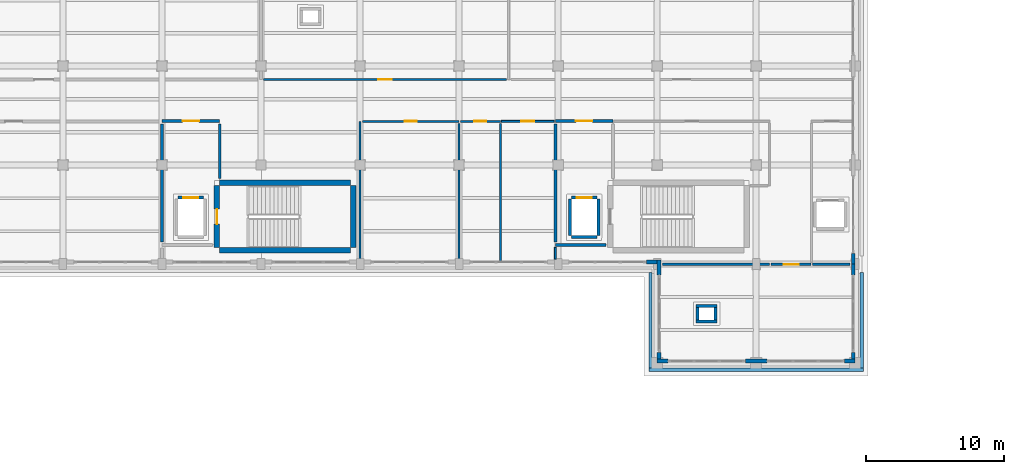
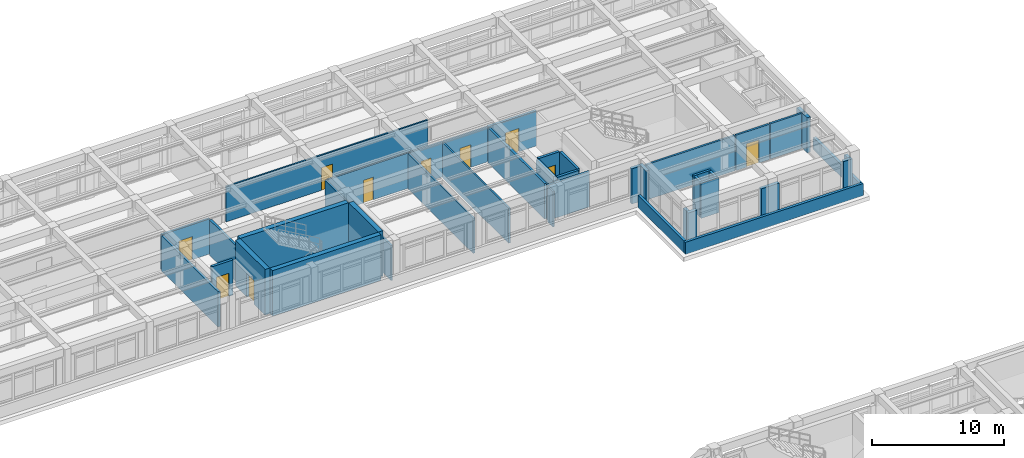
# One storey, part 51 of 67: 42 walls, 10 doors, 10 openings.
"""IFC4 building model written with IfcOpenShell, lengths in metres."""

from ifc_helpers import new_model, si_unit, direction, frame, frame_2d, origin, place, context, subcontext, project, spatial, rectangle, extrude, material, layer, layer_set, type_object, element, fill, save


model = new_model("IFC4")

# Units and contexts
model_context = context("Model", 3, precision=1e-05, world=origin(), true_north=direction((0.0, 1.0)))
body_context = subcontext(model_context, "Body", "Model", "MODEL_VIEW")
ifc_project = project(units=[si_unit("LENGTHUNIT", "METRE"), si_unit("AREAUNIT", "SQUARE_METRE"), si_unit("VOLUMEUNIT", "CUBIC_METRE"), si_unit("PLANEANGLEUNIT", "RADIAN"), si_unit("MASSUNIT", "GRAM", prefix="KILO")], contexts=[model_context])

# Site, building, storey
site_placement = place(None, origin())
site = spatial("IfcSite", under=ifc_project, at=site_placement, CompositionType="ELEMENT")
building_placement = place(site_placement, origin())
building = spatial("IfcBuilding", under=site, at=building_placement, Name="Solenvale Faculty of Natural Sciences", CompositionType="ELEMENT")
storey_placement = place(building_placement, frame((0.0, 0.0, 13.5)))
storey = spatial("IfcBuildingStorey", under=building, at=storey_placement, Name="L03", CompositionType="ELEMENT", Elevation=13.5)

# Walls
ifc_material_1 = material(Name="Precast concrete 40 MPa", Category="concrete")
ifc_layer_1 = layer(ifc_material_1, 0.284912109375)
ifc_layer_set_1 = layer_set([ifc_layer_1], Name="Precast concrete 40 MPa")
wall_type_1 = type_object("IfcWallType", Name="WL-EXT-PRC-285", PredefinedType="STANDARD", material=ifc_layer_set_1)
wall_1_placement = place(storey_placement, frame((136.800048828125, 86.54248046875, 0.0), z_axis=(0.0, 0.0, 1.0), x_axis=(1.0, 0.0, 0.0)))
element("IfcWall", 1, at=wall_1_placement, inside=storey, type_object=wall_type_1, Name="L03 Facade Closure Pier 1.B1-L", PredefinedType="STANDARD", context=body_context, shape_type="SweptSolid", body=[
    extrude(rectangle(XDim=0.787841796875, YDim=0.284912109375, at=frame_2d((0.39404296875, 0.0))), origin(), (0.0, 0.0, 1.0), 3.260009765625),
])
wall_2_placement = place(storey_placement, frame((143.2119140625, 86.54248046875, 0.0), z_axis=(0.0, 0.0, 1.0), x_axis=(1.0, 0.0, 0.0)))
element("IfcWall", 2, at=wall_2_placement, inside=storey, type_object=wall_type_1, Name="L03 Facade Closure Pier 1.B1-R", PredefinedType="STANDARD", context=body_context, shape_type="SweptSolid", body=[
    extrude(rectangle(XDim=1.576171875, YDim=0.284912109375, at=frame_2d((0.7880859375, 0.0))), origin(), (0.0, 0.0, 1.0), 3.260009765625),
])
wall_3_placement = place(storey_placement, frame((150.412109375, 86.54248046875, 0.0), z_axis=(0.0, 0.0, 1.0), x_axis=(1.0, 0.0, 0.0)))
element("IfcWall", 3, at=wall_3_placement, inside=storey, type_object=wall_type_1, Name="L03 Facade Closure Pier 1.B2-R", PredefinedType="STANDARD", context=body_context, shape_type="SweptSolid", body=[
    extrude(rectangle(XDim=0.787841796875, YDim=0.284912109375, at=frame_2d((0.39404296875, 0.0))), origin(), (0.0, 0.0, 1.0), 3.260009765625),
])
wall_4_placement = place(storey_placement, frame((151.0576171875, 86.68505859375, 0.0), z_axis=(0.0, 0.0, 1.0), x_axis=(0.0, 1.0, 0.0)))
element("IfcWall", 4, at=wall_4_placement, inside=storey, type_object=wall_type_1, Name="L03 Facade Closure Pier 2.B1-L", PredefinedType="STANDARD", context=body_context, shape_type="SweptSolid", body=[
    extrude(rectangle(XDim=0.5029296875, YDim=0.284912109375, at=frame_2d((0.25146484375, 0.0))), origin(), (0.0, 0.0, 1.0), 3.260009765625),
])
wall_5_placement = place(storey_placement, frame((151.0576171875, 92.81201171875, 0.0), z_axis=(0.0, 0.0, 1.0), x_axis=(0.0, 1.0, 0.0)))
element("IfcWall", 5, at=wall_5_placement, inside=storey, type_object=wall_type_1, Name="L03 Facade Closure Pier 2.B1-R", PredefinedType="STANDARD", context=body_context, shape_type="SweptSolid", body=[
    extrude(rectangle(XDim=0.7880859375, YDim=0.284912109375, at=frame_2d((0.39404296875, 0.0))), origin(), (0.0, 0.0, 1.0), 3.260009765625),
])
wall_6_placement = place(storey_placement, frame((151.0576171875, 93.60009765625, 0.0), z_axis=(0.0, 0.0, 1.0), x_axis=(0.0, 1.0, 0.0)))
element("IfcWall", 6, at=wall_6_placement, inside=storey, type_object=wall_type_1, Name="L03 Facade Closure Pier 3.B1-L", PredefinedType="STANDARD", context=body_context, shape_type="SweptSolid", body=[
    extrude(rectangle(XDim=0.787841796875, YDim=0.284912109375, at=frame_2d((0.39404296875, 0.0))), origin(), (0.0, 0.0, 1.0), 3.260009765625),
])
wall_7_placement = place(storey_placement, frame((136.011962890625, 93.742431640625, 0.0), z_axis=(0.0, 0.0, 1.0), x_axis=(1.0, 0.0, 0.0)))
element("IfcWall", 7, at=wall_7_placement, inside=storey, type_object=wall_type_1, Name="L03 Facade Closure Pier 6.B8-R", PredefinedType="STANDARD", context=body_context, shape_type="SweptSolid", body=[
    extrude(rectangle(XDim=0.7880859375, YDim=0.284912109375, at=frame_2d((0.39404296875, 0.0))), origin(), (0.0, 0.0, 1.0), 3.260009765625),
])
wall_8_placement = place(storey_placement, frame((136.9423828125, 93.885009765625, 0.0), z_axis=(0.0, 0.0, 1.0), x_axis=(0.0, -1.0, 0.0)))
element("IfcWall", 8, at=wall_8_placement, inside=storey, type_object=wall_type_1, Name="L03 Facade Closure Pier 7.B1-L", PredefinedType="STANDARD", context=body_context, shape_type="SweptSolid", body=[
    extrude(rectangle(XDim=1.072998046875, YDim=0.284912109375, at=frame_2d((0.53662109375, 0.0))), origin(), (0.0, 0.0, 1.0), 3.260009765625),
])
wall_9_placement = place(storey_placement, frame((136.9423828125, 87.18798828125, 0.0), z_axis=(0.0, 0.0, 1.0), x_axis=(0.0, -1.0, 0.0)))
element("IfcWall", 9, at=wall_9_placement, inside=storey, type_object=wall_type_1, Name="L03 Facade Closure Pier 7.B1-R", PredefinedType="STANDARD", context=body_context, shape_type="SweptSolid", body=[
    extrude(rectangle(XDim=0.5029296875, YDim=0.284912109375, at=frame_2d((0.25146484375, 0.0))), origin(), (0.0, 0.0, 1.0), 3.260009765625),
])

# Wall, opening, door
ifc_material_2 = material(Name="Gypsum fire-rated shaftwall")
ifc_layer_2 = layer(ifc_material_2, 0.205078125)
ifc_layer_set_2 = layer_set([ifc_layer_2], Name="Gypsum fire-rated shaftwall")
wall_type_2 = type_object("IfcWallType", Name="WL-FFL-205", PredefinedType="PARTITIONING", material=ifc_layer_set_2)
wall_10_placement = place(storey_placement, frame((100.800048828125, 104.0, 0.0), z_axis=(0.0, 0.0, 1.0), x_axis=(1.0, 0.0, 0.0)))
wall_10 = element("IfcWall", 10, at=wall_10_placement, inside=storey, type_object=wall_type_2, Name="L03 Firefighting Lobby C4 Partition 1", PredefinedType="PARTITIONING", context=body_context, shape_type="SweptSolid", body=[
    extrude(rectangle(XDim=4.199951171875, YDim=0.205078125, at=frame_2d((2.10009765625, 0.0))), origin(), (0.0, 0.0, 1.0), 3.260009765625),
])
opening_1_placement = place(wall_10_placement, frame((1.5, 0.0, 0.0)))
opening_1 = element("IfcOpeningElement", 11, at=opening_1_placement, cuts=wall_10, Name="Opening D-L03-01", PredefinedType="OPENING", context=body_context, shape_type="SweptSolid", body=[
    extrude(rectangle(XDim=1.199951171875, YDim=2.14990234375, at=frame_2d((0.60009765625, 1.074951171875))), frame((0.0, 0.112548828125, 0.0), z_axis=(0.0, -1.0, 0.0), x_axis=(1.0, 0.0, 0.0)), (0.0, 0.0, 1.0), 0.22509765625),
])
ifc_material_3 = material(Name="Galvanised steel S355", Category="steel")
door_type_1 = type_object("IfcDoorType", Name="DR-FFL-1200x2150", OperationType="NOTDEFINED", PredefinedType="DOOR", material=ifc_material_3)
door_1_placement = place(opening_1_placement, origin())
door_1 = element("IfcDoor", 12, at=door_1_placement, inside=storey, type_object=door_type_1, Name="L03 Firefighting Lobby C4 Door", OperationType="SINGLE_SWING_LEFT", OverallHeight=2.14990234375, OverallWidth=1.199951171875, PredefinedType="DOOR", context=body_context, shape_type="SweptSolid", body=[
    extrude(rectangle(XDim=1.199951171875, YDim=2.14990234375, at=frame_2d((0.60009765625, 1.074951171875))), frame((0.0, 0.02490234375, 0.0), z_axis=(0.0, -1.0, 0.0), x_axis=(1.0, 0.0, 0.0)), (0.0, 0.0, 1.0), 0.050048828125),
])
fill(opening_1, door_1)

# Walls
wall_11_placement = place(storey_placement, frame((105.0, 103.782958984375, 0.0), z_axis=(0.0, 0.0, 1.0), x_axis=(0.0, -1.0, 0.0)))
element("IfcWall", 13, at=wall_11_placement, inside=storey, type_object=wall_type_2, Name="L03 Firefighting Lobby C4 Partition 2", PredefinedType="PARTITIONING", context=body_context, shape_type="SweptSolid", body=[
    extrude(rectangle(XDim=3.9580078125, YDim=0.205078125, at=frame_2d((1.97900390625, 0.0))), origin(), (0.0, 0.0, 1.0), 3.260009765625),
])
wall_12_placement = place(storey_placement, frame((100.800048828125, 95.217041015625, 0.0), z_axis=(0.0, 0.0, 1.0), x_axis=(0.0, 1.0, 0.0)))
element("IfcWall", 14, at=wall_12_placement, inside=storey, type_object=wall_type_2, Name="L03 Firefighting Lobby C4 Partition 21", PredefinedType="PARTITIONING", context=body_context, shape_type="SweptSolid", body=[
    extrude(rectangle(XDim=8.56591796875, YDim=0.205078125, at=frame_2d((4.282958984375, 0.0))), origin(), (0.0, 0.0, 1.0), 3.260009765625),
])

# Wall, opening, door
wall_13_placement = place(storey_placement, frame((129.39990234375, 104.0, 0.0), z_axis=(0.0, 0.0, 1.0), x_axis=(1.0, 0.0, 0.0)))
wall_13 = element("IfcWall", 15, at=wall_13_placement, inside=storey, type_object=wall_type_2, Name="L03 Firefighting Lobby C5 Partition 1", PredefinedType="PARTITIONING", context=body_context, shape_type="SweptSolid", body=[
    extrude(rectangle(XDim=4.2001953125, YDim=0.205078125, at=frame_2d((2.10009765625, 0.0))), origin(), (0.0, 0.0, 1.0), 3.260009765625),
])
opening_2_placement = place(wall_13_placement, frame((1.5, 0.0, 0.0)))
opening_2 = element("IfcOpeningElement", 16, at=opening_2_placement, cuts=wall_13, Name="Opening D-L03-02", PredefinedType="OPENING", context=body_context, shape_type="SweptSolid", body=[
    extrude(rectangle(XDim=1.199951171875, YDim=2.14990234375, at=frame_2d((0.60009765625, 1.074951171875))), frame((0.0, 0.112548828125, 0.0), z_axis=(0.0, -1.0, 0.0), x_axis=(1.0, 0.0, 0.0)), (0.0, 0.0, 1.0), 0.22509765625),
])
door_2_placement = place(opening_2_placement, origin())
door_2 = element("IfcDoor", 17, at=door_2_placement, inside=storey, type_object=door_type_1, Name="L03 Firefighting Lobby C5 Door", OperationType="SINGLE_SWING_RIGHT", OverallHeight=2.14990234375, OverallWidth=1.199951171875, PredefinedType="DOOR", context=body_context, shape_type="SweptSolid", body=[
    extrude(rectangle(XDim=1.199951171875, YDim=2.14990234375, at=frame_2d((0.60009765625, 1.074951171875))), frame((0.0, 0.02490234375, 0.0), z_axis=(0.0, -1.0, 0.0), x_axis=(1.0, 0.0, 0.0)), (0.0, 0.0, 1.0), 0.050048828125),
])
fill(opening_2, door_2)

# Walls
wall_14_placement = place(storey_placement, frame((133.075927734375, 95.0, 0.0), z_axis=(0.0, 0.0, 1.0), x_axis=(-1.0, 0.0, 0.0)))
element("IfcWall", 18, at=wall_14_placement, inside=storey, type_object=wall_type_2, Name="L03 Firefighting Lobby C5 Partition 20", PredefinedType="PARTITIONING", context=body_context, shape_type="SweptSolid", body=[
    extrude(rectangle(XDim=3.676025390625, YDim=0.205078125, at=frame_2d((1.837890625, 0.0))), origin(), (0.0, 0.0, 1.0), 3.260009765625),
])
wall_15_placement = place(storey_placement, frame((129.39990234375, 95.217041015625, 0.0), z_axis=(0.0, 0.0, 1.0), x_axis=(0.0, 1.0, 0.0)))
element("IfcWall", 19, at=wall_15_placement, inside=storey, type_object=wall_type_2, Name="L03 Firefighting Lobby C5 Partition 21", PredefinedType="PARTITIONING", context=body_context, shape_type="SweptSolid", body=[
    extrude(rectangle(XDim=8.56591796875, YDim=0.205078125, at=frame_2d((4.282958984375, 0.0))), origin(), (0.0, 0.0, 1.0), 3.260009765625),
])

# Wall, opening, door
ifc_material_4 = material(Name="Acoustic stud gypsum partition")
ifc_layer_3 = layer(ifc_material_4, 0.139892578125)
ifc_layer_set_3 = layer_set([ifc_layer_3], Name="Acoustic stud gypsum partition")
wall_type_3 = type_object("IfcWallType", Name="WL-OFF-140", PredefinedType="PARTITIONING", material=ifc_layer_set_3)
wall_16_placement = place(storey_placement, frame((125.847900390625, 107.02001953125, 0.0), z_axis=(0.0, 0.0, 1.0), x_axis=(-1.0, 0.0, 0.0)))
wall_16 = element("IfcWall", 20, at=wall_16_placement, inside=storey, type_object=wall_type_3, Name="L03 Faculty Staff Office Partition 4", PredefinedType="PARTITIONING", context=body_context, shape_type="SweptSolid", body=[
    extrude(rectangle(XDim=17.65185546875, YDim=0.139892578125, at=frame_2d((8.825927734375, 0.0))), origin(), (0.0, 0.0, 1.0), 3.260009765625),
])
opening_3_placement = place(wall_16_placement, frame((8.3359375, 0.0, 0.0)))
opening_3 = element("IfcOpeningElement", 21, at=opening_3_placement, cuts=wall_16, Name="Opening D-L03-14", PredefinedType="OPENING", context=body_context, shape_type="SweptSolid", body=[
    extrude(rectangle(XDim=0.97998046875, YDim=2.10009765625, at=frame_2d((0.489990234375, 1.050048828125))), frame((0.0, 0.079833984375, 0.0), z_axis=(0.0, -1.0, 0.0), x_axis=(1.0, 0.0, 0.0)), (0.0, 0.0, 1.0), 0.159912109375),
])
ifc_material_5 = material(Name="Oak acoustic timber leaf", Category="wood")
door_type_2 = type_object("IfcDoorType", Name="DR-OFF-0980x2100", OperationType="NOTDEFINED", PredefinedType="DOOR", material=ifc_material_5)
door_3_placement = place(opening_3_placement, origin())
door_3 = element("IfcDoor", 22, at=door_3_placement, inside=storey, type_object=door_type_2, Name="L03 Faculty Staff Office Door", OperationType="SINGLE_SWING_RIGHT", OverallHeight=2.10009765625, OverallWidth=0.97998046875, PredefinedType="DOOR", context=body_context, shape_type="SweptSolid", body=[
    extrude(rectangle(XDim=0.97998046875, YDim=2.10009765625, at=frame_2d((0.489990234375, 1.050048828125))), frame((0.0, 0.02490234375, 0.0), z_axis=(0.0, -1.0, 0.0), x_axis=(1.0, 0.0, 0.0)), (0.0, 0.0, 1.0), 0.050048828125),
])
fill(opening_3, door_3)

wall_17_placement = place(storey_placement, frame((125.48193359375, 103.97998046875, 0.0), z_axis=(0.0, 0.0, 1.0), x_axis=(1.0, 0.0, 0.0)))
wall_17 = element("IfcWall", 23, at=wall_17_placement, inside=storey, type_object=wall_type_3, Name="L03 Instrument Preparation Room Partition 2", PredefinedType="PARTITIONING", context=body_context, shape_type="SweptSolid", body=[
    extrude(rectangle(XDim=3.836181640625, YDim=0.139892578125, at=frame_2d((1.91796875, 0.0))), origin(), (0.0, 0.0, 1.0), 3.260009765625),
])
opening_4_placement = place(wall_17_placement, frame((1.443115234375, 0.0, 0.0)))
opening_4 = element("IfcOpeningElement", 24, at=opening_4_placement, cuts=wall_17, Name="Opening D-L03-18", PredefinedType="OPENING", context=body_context, shape_type="SweptSolid", body=[
    extrude(rectangle(XDim=0.949951171875, YDim=2.10009765625, at=frame_2d((0.47509765625, 1.050048828125))), frame((0.0, 0.079833984375, 0.0), z_axis=(0.0, -1.0, 0.0), x_axis=(1.0, 0.0, 0.0)), (0.0, 0.0, 1.0), 0.159912109375),
])
door_type_3 = type_object("IfcDoorType", Name="DR-OFF-0950x2100", OperationType="NOTDEFINED", PredefinedType="DOOR", material=ifc_material_5)
door_4_placement = place(opening_4_placement, origin())
door_4 = element("IfcDoor", 25, at=door_4_placement, inside=storey, type_object=door_type_3, Name="L03 Instrument Preparation Room Door", OperationType="SINGLE_SWING_RIGHT", OverallHeight=2.10009765625, OverallWidth=0.949951171875, PredefinedType="DOOR", context=body_context, shape_type="SweptSolid", body=[
    extrude(rectangle(XDim=0.949951171875, YDim=2.10009765625, at=frame_2d((0.47509765625, 1.050048828125))), frame((0.0, 0.02490234375, 0.0), z_axis=(0.0, -1.0, 0.0), x_axis=(1.0, 0.0, 0.0)), (0.0, 0.0, 1.0), 0.050048828125),
])
fill(opening_4, door_4)

# Walls
wall_18_placement = place(storey_placement, frame((129.39990234375, 94.81591796875, 0.0), z_axis=(0.0, 0.0, 1.0), x_axis=(0.0, -1.0, 0.0)))
element("IfcWall", 26, at=wall_18_placement, inside=storey, type_object=wall_type_3, Name="L03 Instrument Preparation Room Partition 20", PredefinedType="PARTITIONING", context=body_context, shape_type="SweptSolid", body=[
    extrude(rectangle(XDim=0.848876953125, YDim=0.139892578125, at=frame_2d((0.42431640625, 0.0))), origin(), (0.0, 0.0, 1.0), 3.260009765625),
])
ifc_material_6 = material(Name="Architectural bronze concrete 40 MPa", Category="concrete")
ifc_layer_4 = layer(ifc_material_6, 0.239990234375)
ifc_layer_set_4 = layer_set([ifc_layer_4], Name="Architectural bronze concrete 40 MPa")
wall_type_4 = type_object("IfcWallType", Name="WL-PAR-BRZ-240", PredefinedType="PARAPET", material=ifc_layer_set_4)
wall_19_placement = place(storey_placement, frame((151.679931640625, 93.0, 0.0), z_axis=(0.0, 0.0, 1.0), x_axis=(0.0, -1.0, 0.0)))
element("IfcWall", 27, at=wall_19_placement, inside=storey, type_object=wall_type_4, Name="L03 Tower Horizontal Concrete Band 9", PredefinedType="PARAPET", context=body_context, shape_type="SweptSolid", body=[
    extrude(rectangle(XDim=6.9599609375, YDim=0.239990234375, at=frame_2d((3.47998046875, 0.0))), origin(), (0.0, 0.0, 1.0), 1.1201171875),
])
wall_20_placement = place(storey_placement, frame((151.800048828125, 85.919921875, 0.0), z_axis=(0.0, 0.0, 1.0), x_axis=(-1.0, 0.0, 0.0)))
element("IfcWall", 28, at=wall_20_placement, inside=storey, type_object=wall_type_4, Name="L03 Tower Horizontal Concrete Band 10", PredefinedType="PARAPET", context=body_context, shape_type="SweptSolid", body=[
    extrude(rectangle(XDim=15.60009765625, YDim=0.239990234375, at=frame_2d((7.800048828125, 0.0))), origin(), (0.0, 0.0, 1.0), 1.1201171875),
])
wall_21_placement = place(storey_placement, frame((136.320068359375, 86.0400390625, 0.0), z_axis=(0.0, 0.0, 1.0), x_axis=(0.0, 1.0, 0.0)))
element("IfcWall", 29, at=wall_21_placement, inside=storey, type_object=wall_type_4, Name="L03 Tower Horizontal Concrete Band 11", PredefinedType="PARAPET", context=body_context, shape_type="SweptSolid", body=[
    extrude(rectangle(XDim=6.9599609375, YDim=0.239990234375, at=frame_2d((3.47998046875, 0.0))), origin(), (0.0, 0.0, 1.0), 1.1201171875),
])
ifc_material_7 = material(Name="Acoustic double-stud gypsum partition")
ifc_layer_5 = layer(ifc_material_7, 0.179931640625)
ifc_layer_set_5 = layer_set([ifc_layer_5], Name="Acoustic double-stud gypsum partition")
wall_type_5 = type_object("IfcWallType", Name="WL-SEM-180", PredefinedType="PARTITIONING", material=ifc_layer_set_5)
wall_22_placement = place(storey_placement, frame((137.18701171875, 93.60009765625, 0.0), z_axis=(0.0, 0.0, 1.0), x_axis=(1.0, 0.0, 0.0)))
element("IfcWall", 30, at=wall_22_placement, inside=storey, type_object=wall_type_5, Name="L03 Seminar Room Partition 3", PredefinedType="PARTITIONING", context=body_context, shape_type="SweptSolid", body=[
    extrude(rectangle(XDim=7.79296875, YDim=0.179931640625, at=frame_2d((3.896484375, 0.0))), origin(), (0.0, 0.0, 1.0), 3.260009765625),
])

# Wall, opening, door
wall_23_placement = place(storey_placement, frame((145.08203125, 93.580078125, 0.0), z_axis=(0.0, 0.0, 1.0), x_axis=(1.0, 0.0, 0.0)))
wall_23 = element("IfcWall", 31, at=wall_23_placement, inside=storey, type_object=wall_type_5, Name="L03 Seminar Room Partition 20", PredefinedType="PARTITIONING", context=body_context, shape_type="SweptSolid", body=[
    extrude(rectangle(XDim=2.91796875, YDim=0.179931640625, at=frame_2d((1.458984375, 0.0))), origin(), (0.0, 0.0, 1.0), 3.260009765625),
])
opening_5_placement = place(wall_23_placement, frame((0.9189453125, 0.0, 0.0)))
opening_5 = element("IfcOpeningElement", 32, at=opening_5_placement, cuts=wall_23, Name="Opening D-L03-09", PredefinedType="OPENING", context=body_context, shape_type="SweptSolid", body=[
    extrude(rectangle(XDim=1.080078125, YDim=2.14990234375, at=frame_2d((0.5400390625, 1.074951171875))), frame((0.0, 0.099853515625, 0.0), z_axis=(0.0, -1.0, 0.0), x_axis=(1.0, 0.0, 0.0)), (0.0, 0.0, 1.0), 0.199951171875),
])
door_type_4 = type_object("IfcDoorType", Name="DR-SEM-1080x2150", OperationType="NOTDEFINED", PredefinedType="DOOR", material=ifc_material_5)
door_5_placement = place(opening_5_placement, origin())
door_5 = element("IfcDoor", 33, at=door_5_placement, inside=storey, type_object=door_type_4, Name="L03 Seminar Room Door", OperationType="SINGLE_SWING_LEFT", OverallHeight=2.14990234375, OverallWidth=1.080078125, PredefinedType="DOOR", context=body_context, shape_type="SweptSolid", body=[
    extrude(rectangle(XDim=1.080078125, YDim=2.14990234375, at=frame_2d((0.5400390625, 1.074951171875))), frame((0.0, 0.02490234375, 0.0), z_axis=(0.0, -1.0, 0.0), x_axis=(1.0, 0.0, 0.0)), (0.0, 0.0, 1.0), 0.050048828125),
])
fill(opening_5, door_5)

# Wall
wall_24_placement = place(storey_placement, frame((148.10205078125, 93.60009765625, 0.0), z_axis=(0.0, 0.0, 1.0), x_axis=(1.0, 0.0, 0.0)))
element("IfcWall", 34, at=wall_24_placement, inside=storey, type_object=wall_type_5, Name="L03 Seminar Room Partition 37", PredefinedType="PARTITIONING", context=body_context, shape_type="SweptSolid", body=[
    extrude(rectangle(XDim=2.7109375, YDim=0.179931640625, at=frame_2d((1.35546875, 0.0))), origin(), (0.0, 0.0, 1.0), 3.260009765625),
])

# Wall, opening, door
ifc_material_8 = material(Name="Concrete 40 MPa", Category="concrete")
ifc_layer_6 = layer(ifc_material_8, 0.219970703125)
ifc_layer_set_6 = layer_set([ifc_layer_6], Name="Concrete 40 MPa")
wall_type_6 = type_object("IfcWallType", Name="WL-SHF-220", PredefinedType="STANDARD", material=ifc_layer_set_6)
wall_25_placement = place(storey_placement, frame((101.97998046875, 98.429931640625, 0.0), z_axis=(0.0, 0.0, 1.0), x_axis=(1.0, 0.0, 0.0)))
wall_25 = element("IfcWall", 35, at=wall_25_placement, inside=storey, type_object=wall_type_6, Name="Elevator LF-01 L03 Shaft Wall N", PredefinedType="STANDARD", context=body_context, shape_type="SweptSolid", body=[
    extrude(rectangle(XDim=1.840087890625, YDim=0.219970703125, at=frame_2d((0.919921875, 0.0))), origin(), (0.0, 0.0, 1.0), 3.260009765625),
])
opening_6_placement = place(wall_25_placement, frame((0.3701171875, 0.0, 0.0)))
opening_6 = element("IfcOpeningElement", 36, at=opening_6_placement, cuts=wall_25, Name="Opening LD-LF-01-L03", PredefinedType="OPENING", context=body_context, shape_type="SweptSolid", body=[
    extrude(rectangle(XDim=1.10009765625, YDim=2.14990234375, at=frame_2d((0.550048828125, 1.074951171875))), frame((0.0, 0.119873046875, 0.0), z_axis=(0.0, -1.0, 0.0), x_axis=(1.0, 0.0, 0.0)), (0.0, 0.0, 1.0), 0.239990234375),
])
ifc_material_9 = material(Name="Stainless steel Grade 304", Category="steel")
door_type_5 = type_object("IfcDoorType", Name="DR-LIFT-1100x2150", OperationType="NOTDEFINED", PredefinedType="DOOR", material=ifc_material_9)
door_6_placement = place(opening_6_placement, origin())
door_6 = element("IfcDoor", 37, at=door_6_placement, inside=storey, type_object=door_type_5, Name="Elevator LF-01 L03 Sliding Landing Door", OperationType="SLIDING_TO_RIGHT", OverallHeight=2.14990234375, OverallWidth=1.10009765625, PredefinedType="DOOR", context=body_context, shape_type="SweptSolid", body=[
    extrude(rectangle(XDim=1.10009765625, YDim=2.14990234375, at=frame_2d((0.550048828125, 1.074951171875))), frame((0.0, 0.02490234375, 0.0), z_axis=(0.0, -1.0, 0.0), x_axis=(1.0, 0.0, 0.0)), (0.0, 0.0, 1.0), 0.050048828125),
])
fill(opening_6, door_6)

# Wall
wall_26_placement = place(storey_placement, frame((130.580078125, 95.570068359375, 0.0), z_axis=(0.0, 0.0, 1.0), x_axis=(1.0, 0.0, 0.0)))
element("IfcWall", 38, at=wall_26_placement, inside=storey, type_object=wall_type_6, Name="Elevator LF-02 L03 Shaft Wall S", PredefinedType="STANDARD", context=body_context, shape_type="SweptSolid", body=[
    extrude(rectangle(XDim=1.83984375, YDim=0.219970703125, at=frame_2d((0.919921875, 0.0))), origin(), (0.0, 0.0, 1.0), 3.260009765625),
])

# Wall, opening, door
wall_27_placement = place(storey_placement, frame((130.580078125, 98.429931640625, 0.0), z_axis=(0.0, 0.0, 1.0), x_axis=(1.0, 0.0, 0.0)))
wall_27 = element("IfcWall", 39, at=wall_27_placement, inside=storey, type_object=wall_type_6, Name="Elevator LF-02 L03 Shaft Wall N", PredefinedType="STANDARD", context=body_context, shape_type="SweptSolid", body=[
    extrude(rectangle(XDim=1.83984375, YDim=0.219970703125, at=frame_2d((0.919921875, 0.0))), origin(), (0.0, 0.0, 1.0), 3.260009765625),
])
opening_7_placement = place(wall_27_placement, frame((0.3701171875, 0.0, 0.0)))
opening_7 = element("IfcOpeningElement", 40, at=opening_7_placement, cuts=wall_27, Name="Opening LD-LF-02-L03", PredefinedType="OPENING", context=body_context, shape_type="SweptSolid", body=[
    extrude(rectangle(XDim=1.10009765625, YDim=2.14990234375, at=frame_2d((0.550048828125, 1.074951171875))), frame((0.0, 0.119873046875, 0.0), z_axis=(0.0, -1.0, 0.0), x_axis=(1.0, 0.0, 0.0)), (0.0, 0.0, 1.0), 0.239990234375),
])
door_7_placement = place(opening_7_placement, origin())
door_7 = element("IfcDoor", 41, at=door_7_placement, inside=storey, type_object=door_type_5, Name="Elevator LF-02 L03 Sliding Landing Door", OperationType="SLIDING_TO_RIGHT", OverallHeight=2.14990234375, OverallWidth=1.10009765625, PredefinedType="DOOR", context=body_context, shape_type="SweptSolid", body=[
    extrude(rectangle(XDim=1.10009765625, YDim=2.14990234375, at=frame_2d((0.550048828125, 1.074951171875))), frame((0.0, 0.02490234375, 0.0), z_axis=(0.0, -1.0, 0.0), x_axis=(1.0, 0.0, 0.0)), (0.0, 0.0, 1.0), 0.050048828125),
])
fill(opening_7, door_7)

# Walls
for number, where, z_axis, x_axis, name in (
    (42, (130.469970703125, 95.679931640625, 0.0), (0.0, 0.0, 1.0), (0.0, 1.0, 0.0), "Elevator LF-02 L03 Shaft Wall W"),
    (43, (132.530029296875, 95.679931640625, 0.0), (0.0, 0.0, 1.0), (0.0, 1.0, 0.0), "Elevator LF-02 L03 Shaft Wall E"),
):
    element("IfcWall", number, at=place(storey_placement, frame(where, z_axis=z_axis, x_axis=x_axis)), inside=storey, type_object=wall_type_6, Name=name, PredefinedType="STANDARD", context=body_context, shape_type="SweptSolid", body=[
        extrude(rectangle(XDim=2.64013671875, YDim=0.219970703125, at=frame_2d((1.320068359375, 0.0))), origin(), (0.0, 0.0, 1.0), 3.260009765625),
    ])
for number, where, z_axis, x_axis, name in (
    (44, (139.6298828125, 89.43994140625, 0.0), (0.0, 0.0, 1.0), (1.0, 0.0, 0.0), "L03 Service Riser Shaft 6 Wall S"),
    (45, (139.6298828125, 90.56005859375, 0.0), (0.0, 0.0, 1.0), (1.0, 0.0, 0.0), "L03 Service Riser Shaft 6 Wall N"),
):
    element("IfcWall", number, at=place(storey_placement, frame(where, z_axis=z_axis, x_axis=x_axis)), inside=storey, type_object=wall_type_6, Name=name, PredefinedType="STANDARD", context=body_context, shape_type="SweptSolid", body=[
        extrude(rectangle(XDim=1.5400390625, YDim=0.219970703125, at=frame_2d((0.77001953125, 0.0))), origin(), (0.0, 0.0, 1.0), 3.260009765625),
    ])
for number, where, z_axis, x_axis, name in (
    (46, (139.739990234375, 89.550048828125, 0.0), (0.0, 0.0, 1.0), (0.0, 1.0, 0.0), "L03 Service Riser Shaft 6 Wall W"),
    (47, (141.06005859375, 89.550048828125, 0.0), (0.0, 0.0, 1.0), (0.0, 1.0, 0.0), "L03 Service Riser Shaft 6 Wall E"),
):
    element("IfcWall", number, at=place(storey_placement, frame(where, z_axis=z_axis, x_axis=x_axis)), inside=storey, type_object=wall_type_6, Name=name, PredefinedType="STANDARD", context=body_context, shape_type="SweptSolid", body=[
        extrude(rectangle(XDim=0.89990234375, YDim=0.219970703125, at=frame_2d((0.449951171875, 0.0))), origin(), (0.0, 0.0, 1.0), 3.260009765625),
    ])
ifc_material_10 = material(Name="Concrete 50 MPa", Category="concrete")
ifc_layer_7 = layer(ifc_material_10, 0.409912109375)
ifc_layer_set_7 = layer_set([ifc_layer_7], Name="Concrete 50 MPa")
wall_type_7 = type_object("IfcWallType", Name="WL-SHR-410", PredefinedType="SHEAR", material=ifc_layer_set_7)
for number, where, z_axis, x_axis, name in (
    (48, (105.0, 94.594970703125, 0.0), (0.0, 0.0, 1.0), (1.0, 0.0, 0.0), "Core C4 L03 Shear Wall S"),
    (49, (105.0, 99.5048828125, 0.0), (0.0, 0.0, 1.0), (1.0, 0.0, 0.0), "Core C4 L03 Shear Wall N"),
):
    element("IfcWall", number, at=place(storey_placement, frame(where, z_axis=z_axis, x_axis=x_axis)), inside=storey, type_object=wall_type_7, Name=name, PredefinedType="SHEAR", context=body_context, shape_type="SweptSolid", body=[
        extrude(rectangle(XDim=9.5, YDim=0.409912109375, at=frame_2d((4.75, 0.0))), origin(), (0.0, 0.0, 1.0), 4.219970703125),
    ])

# Wall, opening, door
wall_28_placement = place(storey_placement, frame((104.794921875, 94.800048828125, 0.0), z_axis=(0.0, 0.0, 1.0), x_axis=(0.0, 1.0, 0.0)))
wall_28 = element("IfcWall", 50, at=wall_28_placement, inside=storey, type_object=wall_type_7, Name="Core C4 L03 Shear Wall W", PredefinedType="SHEAR", context=body_context, shape_type="SweptSolid", body=[
    extrude(rectangle(XDim=4.5, YDim=0.409912109375, at=frame_2d((2.25, 0.0))), origin(), (0.0, 0.0, 1.0), 4.219970703125),
])
opening_8_placement = place(wall_28_placement, frame((1.699951171875, 0.0, 0.0)))
opening_8 = element("IfcOpeningElement", 51, at=opening_8_placement, cuts=wall_28, Name="Opening DS-C4-L03", PredefinedType="OPENING", context=body_context, shape_type="SweptSolid", body=[
    extrude(rectangle(XDim=1.10009765625, YDim=2.14990234375, at=frame_2d((0.550048828125, 1.074951171875))), frame((0.0, 0.21484375, 0.0), z_axis=(0.0, -1.0, 0.0), x_axis=(1.0, 0.0, 0.0)), (0.0, 0.0, 1.0), 0.429931640625),
])
door_type_6 = type_object("IfcDoorType", Name="DR-STAIR-1100x2150", OperationType="NOTDEFINED", PredefinedType="DOOR", material=ifc_material_3)
door_8_placement = place(opening_8_placement, origin())
door_8 = element("IfcDoor", 52, at=door_8_placement, inside=storey, type_object=door_type_6, Name="L03 Stair ST-04 Fire Door", OperationType="SINGLE_SWING_RIGHT", OverallHeight=2.14990234375, OverallWidth=1.10009765625, PredefinedType="DOOR", context=body_context, shape_type="SweptSolid", body=[
    extrude(rectangle(XDim=1.10009765625, YDim=2.14990234375, at=frame_2d((0.550048828125, 1.074951171875))), frame((0.0, 0.02490234375, 0.0), z_axis=(0.0, -1.0, 0.0), x_axis=(1.0, 0.0, 0.0)), (0.0, 0.0, 1.0), 0.050048828125),
])
fill(opening_8, door_8)

# Walls
wall_29_placement = place(storey_placement, frame((114.705078125, 94.800048828125, 0.0), z_axis=(0.0, 0.0, 1.0), x_axis=(0.0, 1.0, 0.0)))
element("IfcWall", 53, at=wall_29_placement, inside=storey, type_object=wall_type_7, Name="Core C4 L03 Shear Wall E", PredefinedType="SHEAR", context=body_context, shape_type="SweptSolid", body=[
    extrude(rectangle(XDim=4.5, YDim=0.409912109375, at=frame_2d((2.25, 0.0))), origin(), (0.0, 0.0, 1.0), 4.219970703125),
])
ifc_material_11 = material(Name="Moisture-resistant tile partition")
ifc_layer_8 = layer(ifc_material_11, 0.14990234375)
ifc_layer_set_8 = layer_set([ifc_layer_8], Name="Moisture-resistant tile partition")
wall_type_8 = type_object("IfcWallType", Name="WL-WC-150", PredefinedType="PARTITIONING", material=ifc_layer_set_8)
wall_30_placement = place(storey_placement, frame((115.199951171875, 93.971923828125, 0.0), z_axis=(0.0, 0.0, 1.0), x_axis=(0.0, 1.0, 0.0)))
element("IfcWall", 54, at=wall_30_placement, inside=storey, type_object=wall_type_8, Name="L03 Public Washroom Partition 1", PredefinedType="PARTITIONING", context=body_context, shape_type="SweptSolid", body=[
    extrude(rectangle(XDim=10.008056640625, YDim=0.14990234375, at=frame_2d((5.00390625, 0.0))), origin(), (0.0, 0.0, 1.0), 3.260009765625),
])

# Wall, opening, door
wall_31_placement = place(storey_placement, frame((115.362060546875, 103.97998046875, 0.0), z_axis=(0.0, 0.0, 1.0), x_axis=(1.0, 0.0, 0.0)))
wall_31 = element("IfcWall", 55, at=wall_31_placement, inside=storey, type_object=wall_type_8, Name="L03 Public Washroom Partition 2", PredefinedType="PARTITIONING", context=body_context, shape_type="SweptSolid", body=[
    extrude(rectangle(XDim=7.037841796875, YDim=0.14990234375, at=frame_2d((3.51904296875, 0.0))), origin(), (0.0, 0.0, 1.0), 3.260009765625),
])
opening_9_placement = place(wall_31_placement, frame((3.0791015625, 0.0, 0.0)))
opening_9 = element("IfcOpeningElement", 56, at=opening_9_placement, cuts=wall_31, Name="Opening D-L03-16", PredefinedType="OPENING", context=body_context, shape_type="SweptSolid", body=[
    extrude(rectangle(XDim=0.8798828125, YDim=2.10009765625, at=frame_2d((0.43994140625, 1.050048828125))), frame((0.0, 0.0849609375, 0.0), z_axis=(0.0, -1.0, 0.0), x_axis=(1.0, 0.0, 0.0)), (0.0, 0.0, 1.0), 0.169921875),
])
door_type_7 = type_object("IfcDoorType", Name="DR-WC-0880x2100", OperationType="NOTDEFINED", PredefinedType="DOOR", material=ifc_material_5)
door_9_placement = place(opening_9_placement, origin())
door_9 = element("IfcDoor", 57, at=door_9_placement, inside=storey, type_object=door_type_7, Name="L03 Public Washroom Door", OperationType="SINGLE_SWING_RIGHT", OverallHeight=2.10009765625, OverallWidth=0.8798828125, PredefinedType="DOOR", context=body_context, shape_type="SweptSolid", body=[
    extrude(rectangle(XDim=0.8798828125, YDim=2.10009765625, at=frame_2d((0.43994140625, 1.050048828125))), frame((0.0, 0.02490234375, 0.0), z_axis=(0.0, -1.0, 0.0), x_axis=(1.0, 0.0, 0.0)), (0.0, 0.0, 1.0), 0.050048828125),
])
fill(opening_9, door_9)

# Wall
wall_32_placement = place(storey_placement, frame((122.39990234375, 103.818115234375, 0.0), z_axis=(0.0, 0.0, 1.0), x_axis=(0.0, -1.0, 0.0)))
element("IfcWall", 58, at=wall_32_placement, inside=storey, type_object=wall_type_8, Name="L03 Public Washroom Partition 3", PredefinedType="PARTITIONING", context=body_context, shape_type="SweptSolid", body=[
    extrude(rectangle(XDim=9.84619140625, YDim=0.14990234375, at=frame_2d((4.923095703125, 0.0))), origin(), (0.0, 0.0, 1.0), 3.260009765625),
])

# Wall, opening, door
wall_33_placement = place(storey_placement, frame((122.487060546875, 103.97998046875, 0.0), z_axis=(0.0, 0.0, 1.0), x_axis=(1.0, 0.0, 0.0)))
wall_33 = element("IfcWall", 59, at=wall_33_placement, inside=storey, type_object=wall_type_8, Name="L03 Accessible Washroom Partition 2", PredefinedType="PARTITIONING", context=body_context, shape_type="SweptSolid", body=[
    extrude(rectangle(XDim=2.912841796875, YDim=0.14990234375, at=frame_2d((1.45654296875, 0.0))), origin(), (0.0, 0.0, 1.0), 3.260009765625),
])
opening_10_placement = place(wall_33_placement, frame((1.007080078125, 0.0, 0.0)))
opening_10 = element("IfcOpeningElement", 60, at=opening_10_placement, cuts=wall_33, Name="Opening D-L03-17", PredefinedType="OPENING", context=body_context, shape_type="SweptSolid", body=[
    extrude(rectangle(XDim=0.89990234375, YDim=2.10009765625, at=frame_2d((0.449951171875, 1.050048828125))), frame((0.0, 0.0849609375, 0.0), z_axis=(0.0, -1.0, 0.0), x_axis=(1.0, 0.0, 0.0)), (0.0, 0.0, 1.0), 0.169921875),
])
door_type_8 = type_object("IfcDoorType", Name="DR-WC-0900x2100", OperationType="NOTDEFINED", PredefinedType="DOOR", material=ifc_material_5)
door_10_placement = place(opening_10_placement, origin())
door_10 = element("IfcDoor", 61, at=door_10_placement, inside=storey, type_object=door_type_8, Name="L03 Accessible Washroom Door", OperationType="SINGLE_SWING_LEFT", OverallHeight=2.10009765625, OverallWidth=0.89990234375, PredefinedType="DOOR", context=body_context, shape_type="SweptSolid", body=[
    extrude(rectangle(XDim=0.89990234375, YDim=2.10009765625, at=frame_2d((0.449951171875, 1.050048828125))), frame((0.0, 0.02490234375, 0.0), z_axis=(0.0, -1.0, 0.0), x_axis=(1.0, 0.0, 0.0)), (0.0, 0.0, 1.0), 0.050048828125),
])
fill(opening_10, door_10)

# Wall
wall_34_placement = place(storey_placement, frame((125.39990234375, 103.818115234375, 0.0), z_axis=(0.0, 0.0, 1.0), x_axis=(0.0, -1.0, 0.0)))
element("IfcWall", 62, at=wall_34_placement, inside=storey, type_object=wall_type_8, Name="L03 Accessible Washroom Partition 3", PredefinedType="PARTITIONING", context=body_context, shape_type="SweptSolid", body=[
    extrude(rectangle(XDim=10.03515625, YDim=0.14990234375, at=frame_2d((5.017578125, 0.0))), origin(), (0.0, 0.0, 1.0), 3.260009765625),
])

save(model, "model.ifc")
